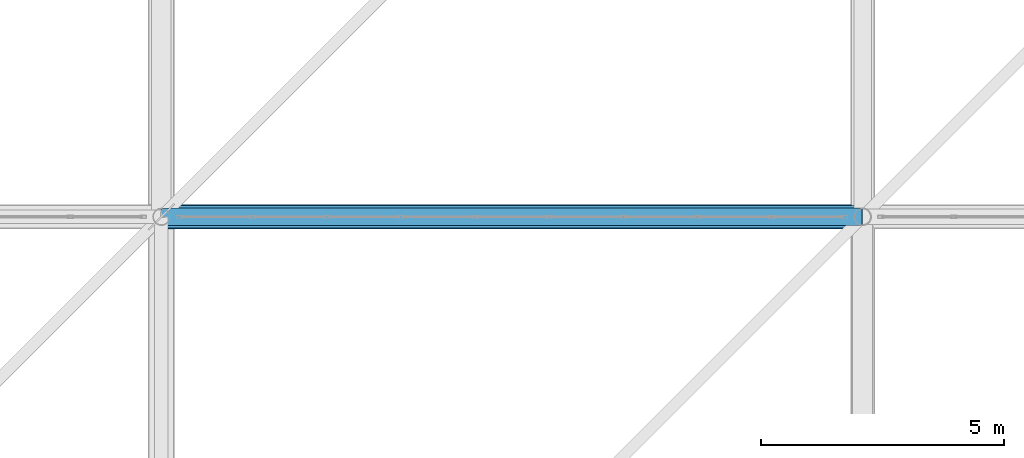
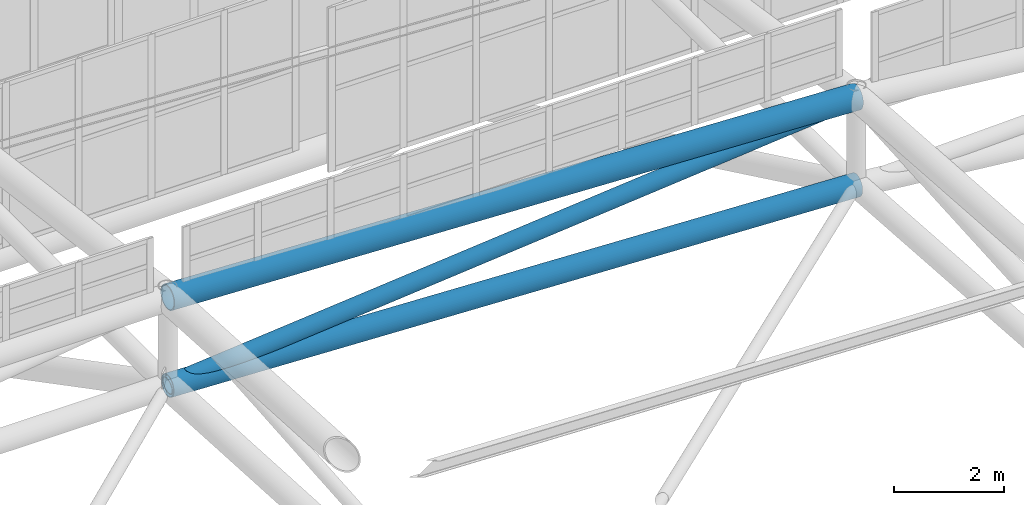
# One storey, part 301 of 397: 2 beams, 1 member.
"""IFC4 building model written with IfcOpenShell, lengths in metres."""

from ifc_helpers import new_model, si_unit, direction, frame, origin, origin_2d, place, context, subcontext, project, spatial, hollow_circle, extrude, material, material_profile, profile_set, type_object, element, save


model = new_model("IFC4")

# Units and contexts
model_context = context("Model", 3, precision=1e-05, world=origin(), true_north=direction((0.0, 1.0)))
body_context = subcontext(model_context, "Body", "Model", "MODEL_VIEW")
ifc_project = project(units=[si_unit("LENGTHUNIT", "METRE"), si_unit("AREAUNIT", "SQUARE_METRE"), si_unit("VOLUMEUNIT", "CUBIC_METRE"), si_unit("PLANEANGLEUNIT", "RADIAN"), si_unit("MASSUNIT", "GRAM", prefix="KILO")], contexts=[model_context])

# Site, building, storey
site_placement = place(None, origin())
site = spatial("IfcSite", under=ifc_project, at=site_placement, CompositionType="ELEMENT")
building_placement = place(site_placement, origin())
building = spatial("IfcBuilding", under=site, at=building_placement, Name="Qandorah Velis Arena", CompositionType="ELEMENT")
storey_placement = place(building_placement, frame((0.0, 0.0, 27.5)))
storey = spatial("IfcBuildingStorey", under=building, at=storey_placement, Name="RF", CompositionType="ELEMENT", Elevation=27.5)

# Beams
ifc_material = material(Name="Steel S355", Category="steel")
ifc_material_profile_1 = material_profile(ifc_material, hollow_circle(Radius=0.228515625, WallThickness=0.01611328125, at=origin_2d()), Name="CHS 457x16")
ifc_profile_set_1 = profile_set([ifc_material_profile_1], Name="Steel S355")
beam_type_1 = type_object("IfcBeamType", Name="STR-SFC-CHS457X16", PredefinedType="USERDEFINED", material=ifc_profile_set_1)
beam_1_placement = place(storey_placement, frame((72.0, 100.800048828125, 7.61328125), z_axis=(0.999122176701, 0.0, -0.041891240429), x_axis=(0.0, 1.0, 0.0)))
element("IfcBeam", 1, at=beam_1_placement, inside=storey, type_object=beam_type_1, Name="Space frame roof truss bottom chord X 4.6", ObjectType="ROOF TRUSS", PredefinedType="USERDEFINED", context=body_context, shape_type="SweptSolid", body=[
    extrude(hollow_circle(Radius=0.228515625, WallThickness=0.01611328125, at=origin_2d()), origin(), (0.0, 0.0, 1.0), 14.41259765625),
])
ifc_material_profile_2 = material_profile(ifc_material, hollow_circle(Radius=0.25390625, WallThickness=0.02001953125, at=origin_2d()), Name="CHS 508x20")
ifc_profile_set_2 = profile_set([ifc_material_profile_2], Name="Steel S355")
beam_type_2 = type_object("IfcBeamType", Name="STR-SFC-CHS508X20", PredefinedType="USERDEFINED", material=ifc_profile_set_2)
beam_2_placement = place(storey_placement, frame((72.0, 100.800048828125, 9.563232421875), z_axis=(0.999122176701, 0.0, -0.041891240429), x_axis=(0.0, 1.0, 0.0)))
element("IfcBeam", 2, at=beam_2_placement, inside=storey, type_object=beam_type_2, Name="Space frame roof truss top chord X 4.6", ObjectType="ROOF TRUSS", PredefinedType="USERDEFINED", context=body_context, shape_type="SweptSolid", body=[
    extrude(hollow_circle(Radius=0.25390625, WallThickness=0.02001953125, at=origin_2d()), origin(), (0.0, 0.0, 1.0), 14.41259765625),
])

# Member
ifc_material_profile_3 = material_profile(ifc_material, hollow_circle(Radius=0.177734375, WallThickness=0.01611328125, at=origin_2d()), Name="CHS 355.6x16")
ifc_profile_set_3 = profile_set([ifc_material_profile_3], Name="Steel S355")
member_type = type_object("IfcMemberType", Name="STR-SFD-CHS355X16", PredefinedType="STRUT", material=ifc_profile_set_3)
member_placement = place(storey_placement, frame((72.0, 100.800048828125, 7.61328125), z_axis=(0.995658606131, 0.0, 0.093080288125), x_axis=(0.0, 1.0, 0.0)))
element("IfcMember", 3, at=member_placement, inside=storey, type_object=member_type, Name="Space frame roof diagonal X 4.6", PredefinedType="STRUT", context=body_context, shape_type="SweptSolid", body=[
    extrude(hollow_circle(Radius=0.177734375, WallThickness=0.01611328125, at=origin_2d()), origin(), (0.0, 0.0, 1.0), 14.462646484375),
])

save(model, "model.ifc")
